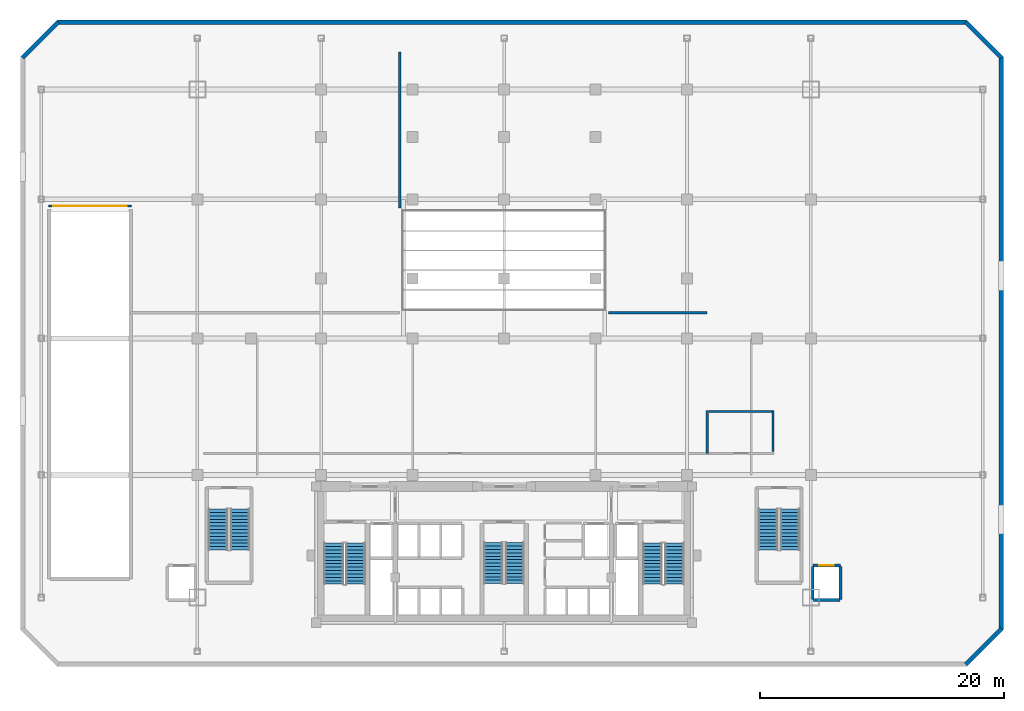
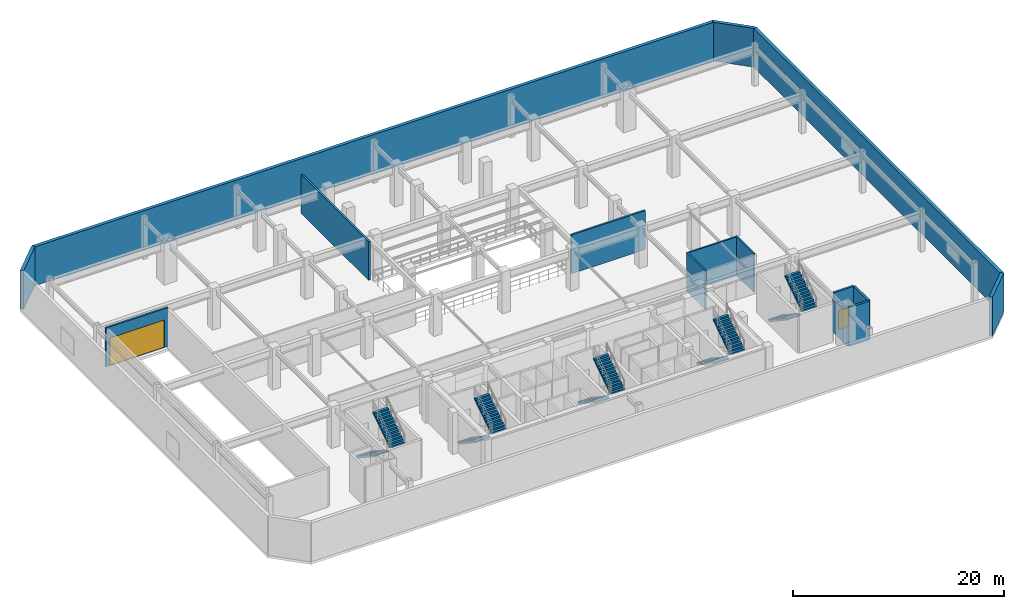
# One storey, part 7 of 10: 15 walls, 10 stair flights, 2 doors, 2 openings, 5 elements without a shape of their own.
"""IFC4 building model written with IfcOpenShell, lengths in metres."""

from ifc_helpers import new_model, si_unit, direction, frame, frame_2d, origin, place, context, subcontext, project, spatial, polyline, rectangle, outline, extrude, material, layer, layer_set, type_object, element, fill, aggregate, save


model = new_model("IFC4")

# Units and contexts
model_context = context("Model", 3, precision=1e-05, world=origin(), true_north=direction((0.0, 1.0)))
body_context = subcontext(model_context, "Body", "Model", "MODEL_VIEW")
ifc_project = project(units=[si_unit("LENGTHUNIT", "METRE"), si_unit("AREAUNIT", "SQUARE_METRE"), si_unit("VOLUMEUNIT", "CUBIC_METRE"), si_unit("PLANEANGLEUNIT", "RADIAN"), si_unit("MASSUNIT", "GRAM", prefix="KILO")], contexts=[model_context])

# Site, building, storey
site_placement = place(None, origin())
site = spatial("IfcSite", under=ifc_project, at=site_placement, CompositionType="ELEMENT")
building_placement = place(site_placement, origin())
building = spatial("IfcBuilding", under=site, at=building_placement, Name="Ventersveld Concourse Tower", CompositionType="ELEMENT")
storey_placement = place(building_placement, frame((0.0, 0.0, 15.0)))
storey = spatial("IfcBuildingStorey", under=building, at=storey_placement, Name="L03", CompositionType="ELEMENT", Elevation=15.0)

# Wall, opening, door
ifc_material_1 = material(Name="Fire-rated autoclaved aerated masonry blockwork", Category="masonry")
ifc_layer_1 = layer(ifc_material_1, 0.199951171875)
ifc_layer_set_1 = layer_set([ifc_layer_1], Name="Fire-rated autoclaved aerated masonry blockwork")
wall_type_1 = type_object("IfcWallType", Name="WL-DEMISE-200", PredefinedType="PARTITIONING", material=ifc_layer_set_1)
wall_1_placement = place(storey_placement, frame((-8.60009765625, 34.449951171875, 0.0), z_axis=(0.0, 0.0, 1.0), x_axis=(1.0, 0.0, 0.0)))
wall_1 = element("IfcWall", 1, at=wall_1_placement, inside=storey, type_object=wall_type_1, Name="L03 Car Park Ramp Portal Wall", PredefinedType="PARTITIONING", context=body_context, shape_type="SweptSolid", body=[
    extrude(rectangle(XDim=6.800048828125, YDim=0.199951171875, at=frame_2d((3.39990234375, 0.0))), origin(), (0.0, 0.0, 1.0), 4.5),
])
opening_1_placement = place(wall_1_placement, frame((0.39990234375, 0.0, 0.0)))
opening_1 = element("IfcOpeningElement", 2, at=opening_1_placement, cuts=wall_1, Name="Opening VG2", PredefinedType="OPENING", context=body_context, shape_type="SweptSolid", body=[
    extrude(rectangle(XDim=6.0, YDim=3.199951171875, at=frame_2d((3.0, 1.60009765625))), frame((0.0, 0.10986328125, 0.0), z_axis=(0.0, -1.0, 0.0), x_axis=(1.0, 0.0, 0.0)), (0.0, 0.0, 1.0), 0.219970703125),
])
ifc_material_2 = material(Name="Galvanised painted steel", Category="steel")
door_type_1 = type_object("IfcDoorType", Name="DR-VGATE-320", OperationType="ROLLINGUP", PredefinedType="GATE", material=ifc_material_2)
door_1_placement = place(opening_1_placement, origin())
door_1 = element("IfcDoor", 3, at=door_1_placement, inside=storey, type_object=door_type_1, Name="L03 Car Park Deck Vehicle Entry Gate VG2", OperationType="ROLLINGUP", OverallHeight=3.199951171875, OverallWidth=6.0, PredefinedType="GATE", context=body_context, shape_type="SweptSolid", body=[
    extrude(rectangle(XDim=6.0, YDim=3.199951171875, at=frame_2d((3.0, 1.60009765625))), frame((0.0, 0.02490234375, 0.0), z_axis=(0.0, -1.0, 0.0), x_axis=(1.0, 0.0, 0.0)), (0.0, 0.0, 1.0), 0.050048828125),
])
fill(opening_1, door_1)

# Walls
wall_2_placement = place(storey_placement, frame((45.39990234375, 14.155029296875, 0.0), z_axis=(0.0, 0.0, 1.0), x_axis=(0.0, 1.0, 0.0)))
element("IfcWall", 4, at=wall_2_placement, inside=storey, type_object=wall_type_1, Name="L03 Interior Partition SP-L03-AWC-SP-L03-PARK-S", PredefinedType="PARTITIONING", context=body_context, shape_type="SweptSolid", body=[
    extrude(rectangle(XDim=3.5400390625, YDim=0.199951171875, at=frame_2d((1.77001953125, 0.0))), origin(), (0.0, 0.0, 1.0), 4.5),
])
wall_3_placement = place(storey_placement, frame((37.304931640625, 25.699951171875, 0.0), z_axis=(0.0, 0.0, 1.0), x_axis=(1.0, 0.0, 0.0)))
element("IfcWall", 5, at=wall_3_placement, inside=storey, type_object=wall_type_1, Name="L03 Interior Partition SP-L03-PARK-S-SP-L03-PARK-E", PredefinedType="PARTITIONING", context=body_context, shape_type="SweptSolid", body=[
    extrude(rectangle(XDim=8.090087890625, YDim=0.199951171875, at=frame_2d((4.044921875, 0.0))), origin(), (0.0, 0.0, 1.0), 4.5),
])
wall_4_placement = place(storey_placement, frame((20.199951171875, 34.304931640625, 0.0), z_axis=(0.0, 0.0, 1.0), x_axis=(0.0, 1.0, 0.0)))
element("IfcWall", 6, at=wall_4_placement, inside=storey, type_object=wall_type_1, Name="L03 Interior Partition SP-L03-PARK-W-SP-L03-PARK-N", PredefinedType="PARTITIONING", context=body_context, shape_type="SweptSolid", body=[
    extrude(rectangle(XDim=12.7900390625, YDim=0.199951171875, at=frame_2d((6.39501953125, 0.0))), origin(), (0.0, 0.0, 1.0), 4.5),
])
ifc_layer_2 = layer(ifc_material_1, 0.219970703125)
ifc_layer_set_2 = layer_set([ifc_layer_2], Name="Fire-rated autoclaved aerated masonry blockwork")
wall_type_2 = type_object("IfcWallType", Name="WL-HOIST-220", PredefinedType="SOLIDWALL", material=ifc_layer_set_2)
wall_5_placement = place(storey_placement, frame((54.10009765625, 2.139892578125, 0.0), z_axis=(0.0, 0.0, 1.0), x_axis=(1.0, 0.0, 0.0)))
element("IfcWall", 7, at=wall_5_placement, inside=storey, type_object=wall_type_2, Name="L03 Lift Hoistway Back Wall SL-02", PredefinedType="SOLIDWALL", context=body_context, shape_type="SweptSolid", body=[
    extrude(rectangle(XDim=2.199951171875, YDim=0.219970703125, at=frame_2d((1.10009765625, 0.0))), origin(), (0.0, 0.0, 1.0), 4.5),
])
wall_6_placement = place(storey_placement, frame((54.06005859375, 2.199951171875, 0.0), z_axis=(0.0, 0.0, 1.0), x_axis=(0.0, 1.0, 0.0)))
element("IfcWall", 8, at=wall_6_placement, inside=storey, type_object=wall_type_2, Name="L03 Lift Hoistway Side Wall SL-02W", PredefinedType="SOLIDWALL", context=body_context, shape_type="SweptSolid", body=[
    extrude(rectangle(XDim=2.699951171875, YDim=0.219970703125, at=frame_2d((1.35009765625, 0.0))), origin(), (0.0, 0.0, 1.0), 3.966796875),
])
wall_7_placement = place(storey_placement, frame((56.340087890625, 2.199951171875, 0.0), z_axis=(0.0, 0.0, 1.0), x_axis=(0.0, 1.0, 0.0)))
element("IfcWall", 9, at=wall_7_placement, inside=storey, type_object=wall_type_2, Name="L03 Lift Hoistway Side Wall SL-02E", PredefinedType="SOLIDWALL", context=body_context, shape_type="SweptSolid", body=[
    extrude(rectangle(XDim=2.699951171875, YDim=0.219970703125, at=frame_2d((1.35009765625, 0.0))), origin(), (0.0, 0.0, 1.0), 4.5),
])

# Wall, opening, door
wall_8_placement = place(storey_placement, frame((54.080078125, 4.97998046875, 0.0), z_axis=(0.0, 0.0, 1.0), x_axis=(1.0, 0.0, 0.0)))
wall_8 = element("IfcWall", 10, at=wall_8_placement, inside=storey, type_object=wall_type_2, Name="L03 Lift Hoistway Front Wall SL-02", PredefinedType="SOLIDWALL", context=body_context, shape_type="SweptSolid", body=[
    extrude(rectangle(XDim=2.239990234375, YDim=0.219970703125, at=frame_2d((1.1201171875, 0.0))), origin(), (0.0, 0.0, 1.0), 4.5),
])
opening_2_placement = place(wall_8_placement, frame((0.530029296875, 0.0, 0.0)))
opening_2 = element("IfcOpeningElement", 11, at=opening_2_placement, cuts=wall_8, Name="Opening LD2", PredefinedType="OPENING", context=body_context, shape_type="SweptSolid", body=[
    extrude(rectangle(XDim=1.179931640625, YDim=2.199951171875, at=frame_2d((0.58984375, 1.10009765625))), frame((0.0, 0.1201171875, 0.0), z_axis=(0.0, -1.0, 0.0), x_axis=(1.0, 0.0, 0.0)), (0.0, 0.0, 1.0), 0.239990234375),
])
ifc_material_3 = material(Name="Brushed stainless steel 316", Category="steel")
door_type_2 = type_object("IfcDoorType", Name="LD-PAX-118", OperationType="SLIDING_TO_LEFT", PredefinedType="DOOR", material=ifc_material_3)
door_2_placement = place(opening_2_placement, origin())
door_2 = element("IfcDoor", 12, at=door_2_placement, inside=storey, type_object=door_type_2, Name="L03 Lift landing door SL-02 (LD-L03-SL-02)", OperationType="SLIDING_TO_LEFT", OverallHeight=2.199951171875, OverallWidth=1.179931640625, PredefinedType="DOOR", context=body_context, shape_type="SweptSolid", body=[
    extrude(rectangle(XDim=1.179931640625, YDim=2.199951171875, at=frame_2d((0.58984375, 1.10009765625))), frame((0.0, 0.02490234375, 0.0), z_axis=(0.0, -1.0, 0.0), x_axis=(1.0, 0.0, 0.0)), (0.0, 0.0, 1.0), 0.050048828125),
])
fill(opening_2, door_2)

# Walls
ifc_material_4 = material(Name="Precast concrete C45/55", Category="concrete")
ifc_layer_3 = layer(ifc_material_4, 0.35009765625)
ifc_layer_set_3 = layer_set([ifc_layer_3], Name="Precast concrete C45/55")
wall_type_3 = type_object("IfcWallType", Name="WL-PREC-350", PredefinedType="SOLIDWALL", material=ifc_layer_set_3)
wall_9_placement = place(storey_placement, frame((66.60107421875, -3.144287109375, 0.0), z_axis=(0.0, 0.0, 1.0), x_axis=(0.707106781187, 0.707106781187, 0.0)))
element("IfcWall", 13, at=wall_9_placement, inside=storey, type_object=wall_type_3, Name="L03 Podium Precast Perimeter Wall 02", PredefinedType="SOLIDWALL", context=body_context, shape_type="SweptSolid", body=[
    extrude(rectangle(XDim=4.16259765625, YDim=0.35009765625, at=frame_2d((2.081298828125, 0.0))), origin(), (0.0, 0.0, 1.0), 4.5),
])
wall_10_placement = place(storey_placement, frame((69.52001953125, -0.260009765625, 0.0), z_axis=(0.0, 0.0, 1.0), x_axis=(0.0, 1.0, 0.0)))
element("IfcWall", 14, at=wall_10_placement, inside=storey, type_object=wall_type_3, Name="L03 Podium Precast Perimeter Wall 03", PredefinedType="SOLIDWALL", context=body_context, shape_type="SweptSolid", body=[
    extrude(rectangle(XDim=46.919921875, YDim=0.35009765625, at=frame_2d((23.4599609375, 0.0))), origin(), (0.0, 0.0, 1.0), 4.5),
])
wall_11_placement = place(storey_placement, frame((69.54443359375, 46.60107421875, 0.0), z_axis=(0.0, 0.0, 1.0), x_axis=(-0.707106781187, 0.707106781187, 0.0)))
element("IfcWall", 15, at=wall_11_placement, inside=storey, type_object=wall_type_3, Name="L03 Podium Precast Perimeter Wall 04", PredefinedType="SOLIDWALL", context=body_context, shape_type="SweptSolid", body=[
    extrude(rectangle(XDim=4.16259765625, YDim=0.35009765625, at=frame_2d((2.081298828125, 0.0))), origin(), (0.0, 0.0, 1.0), 4.5),
])
wall_12_placement = place(storey_placement, frame((66.659912109375, 49.52001953125, 0.0), z_axis=(0.0, 0.0, 1.0), x_axis=(-1.0, 0.0, 0.0)))
element("IfcWall", 16, at=wall_12_placement, inside=storey, type_object=wall_type_3, Name="L03 Podium Precast Perimeter Wall 05", PredefinedType="SOLIDWALL", context=body_context, shape_type="SweptSolid", body=[
    extrude(rectangle(XDim=74.52001953125, YDim=0.35009765625, at=frame_2d((37.260009765625, 0.0))), origin(), (0.0, 0.0, 1.0), 4.5),
])
wall_13_placement = place(storey_placement, frame((-7.801025390625, 49.54443359375, 0.0), z_axis=(0.0, 0.0, 1.0), x_axis=(-0.707106781187, -0.707106781187, 0.0)))
element("IfcWall", 17, at=wall_13_placement, inside=storey, type_object=wall_type_3, Name="L03 Podium Precast Perimeter Wall 06", PredefinedType="SOLIDWALL", context=body_context, shape_type="SweptSolid", body=[
    extrude(rectangle(XDim=4.16259765625, YDim=0.35009765625, at=frame_2d((2.081298828125, 0.0))), origin(), (0.0, 0.0, 1.0), 4.5),
])
ifc_material_5 = material(Name="Autoclaved aerated masonry blockwork", Category="masonry")
ifc_layer_4 = layer(ifc_material_5, 0.1650390625)
ifc_layer_set_4 = layer_set([ifc_layer_4], Name="Autoclaved aerated masonry blockwork")
wall_type_4 = type_object("IfcWallType", Name="WL-WET-165", PredefinedType="PLUMBINGWALL", material=ifc_layer_set_4)
wall_14_placement = place(storey_placement, frame((50.800048828125, 14.31494140625, 0.0), z_axis=(0.0, 0.0, 1.0), x_axis=(0.0, 1.0, 0.0)))
element("IfcWall", 18, at=wall_14_placement, inside=storey, type_object=wall_type_4, Name="L03 Room Enclosure Wall SP-L03-AWC", PredefinedType="PLUMBINGWALL", context=body_context, shape_type="SweptSolid", body=[
    extrude(rectangle(XDim=3.380126953125, YDim=0.1650390625, at=frame_2d((1.68994140625, 0.0))), origin(), (0.0, 0.0, 1.0), 4.5),
])
wall_15_placement = place(storey_placement, frame((50.89501953125, 17.60009765625, 0.0), z_axis=(0.0, 0.0, 1.0), x_axis=(-1.0, 0.0, 0.0)))
element("IfcWall", 19, at=wall_15_placement, inside=storey, type_object=wall_type_4, Name="L03 Room Enclosure Wall SP-L03-AWC", PredefinedType="PLUMBINGWALL", context=body_context, shape_type="SweptSolid", body=[
    extrude(rectangle(XDim=5.330078125, YDim=0.1650390625, at=frame_2d((2.6650390625, 0.0))), origin(), (0.0, 0.0, 1.0), 4.5),
])

# Stair, stair flights
ifc_material_6 = material(Name="Concrete C50/60", Category="concrete")
stair_type_1 = type_object("IfcStairType", Name="ST-DOG-155", PredefinedType="HALF_TURN_STAIR", material=ifc_material_6)
stair_1_placement = place(storey_placement, origin())
stair_1 = element("IfcStair", 20, at=stair_1_placement, inside=storey, type_object=stair_type_1, Name="L03 Protected Central Core Escape Stair ST-03", PredefinedType="HALF_TURN_STAIR")
stair_flight_type_1 = type_object("IfcStairFlightType", Name="STF-RC-155", PredefinedType="STRAIGHT", material=ifc_material_6)
stair_flight_1_placement = place(storey_placement, frame((27.875, 6.85009765625, 0.0), z_axis=(0.0, 0.0, 1.0), x_axis=(0.0, -1.0, 0.0)))
stair_flight_1 = element("IfcStairFlight", 21, at=stair_flight_1_placement, type_object=stair_flight_type_1, Name="ST-03 flight 1", NumberOfRisers=13, NumberOfTreads=12, PredefinedType="STRAIGHT", RiserHeight=0.184615385, TreadLength=0.28, context=body_context, shape_type="SweptSolid", body=[
    extrude(outline(polyline([(0.0, 0.0), (0.0, 0.1845703125), (0.280029296875, 0.1845703125), (0.280029296875, 0.369140625), (0.56005859375, 0.369140625), (0.56005859375, 0.553955078125), (0.840087890625, 0.553955078125), (0.840087890625, 0.738525390625), (1.1201171875, 0.738525390625), (1.1201171875, 0.923095703125), (1.39990234375, 0.923095703125), (1.39990234375, 1.107666015625), (1.679931640625, 1.107666015625), (1.679931640625, 1.292236328125), (1.9599609375, 1.292236328125), (1.9599609375, 1.476806640625), (2.239990234375, 1.476806640625), (2.239990234375, 1.66162109375), (2.52001953125, 1.66162109375), (2.52001953125, 1.84619140625), (2.800048828125, 1.84619140625), (2.800048828125, 2.03076171875), (3.080078125, 2.03076171875), (3.080078125, 2.21533203125), (3.360107421875, 2.21533203125), (3.360107421875, 2.39990234375), (3.360107421875, 2.035888671875), (0.272216796875, 0.0), (0.0, 0.0)])), frame((0.0, 0.77490234375, 0.0), z_axis=(0.0, -1.0, 0.0), x_axis=(1.0, 0.0, 0.0)), (0.0, 0.0, 1.0), 1.550048828125),
])
stair_flight_2_placement = place(storey_placement, frame((29.625, 3.489990234375, 2.39990234375), z_axis=(0.0, 0.0, 1.0), x_axis=(0.0, 1.0, 0.0)))
stair_flight_2 = element("IfcStairFlight", 22, at=stair_flight_2_placement, type_object=stair_flight_type_1, Name="ST-03 flight 2", NumberOfRisers=13, NumberOfTreads=12, PredefinedType="STRAIGHT", RiserHeight=0.184615385, TreadLength=0.28, context=body_context, shape_type="SweptSolid", body=[
    extrude(outline(polyline([(0.0, 0.0), (0.0, 0.1845703125), (0.280029296875, 0.1845703125), (0.280029296875, 0.369140625), (0.56005859375, 0.369140625), (0.56005859375, 0.553955078125), (0.840087890625, 0.553955078125), (0.840087890625, 0.738525390625), (1.1201171875, 0.738525390625), (1.1201171875, 0.923095703125), (1.39990234375, 0.923095703125), (1.39990234375, 1.107666015625), (1.679931640625, 1.107666015625), (1.679931640625, 1.292236328125), (1.9599609375, 1.292236328125), (1.9599609375, 1.476806640625), (2.239990234375, 1.476806640625), (2.239990234375, 1.66162109375), (2.52001953125, 1.66162109375), (2.52001953125, 1.84619140625), (2.800048828125, 1.84619140625), (2.800048828125, 2.03076171875), (3.080078125, 2.03076171875), (3.080078125, 2.21533203125), (3.360107421875, 2.21533203125), (3.360107421875, 2.39990234375), (3.360107421875, 2.035888671875), (0.272216796875, 0.0), (0.0, 0.0)])), frame((0.0, 0.77490234375, 0.0), z_axis=(0.0, -1.0, 0.0), x_axis=(1.0, 0.0, 0.0)), (0.0, 0.0, 1.0), 1.550048828125),
])
aggregate(stair_1, [stair_flight_1, stair_flight_2])

stair_type_2 = type_object("IfcStairType", Name="ST-DOG-160", PredefinedType="HALF_TURN_STAIR", material=ifc_material_6)
stair_2_placement = place(storey_placement, origin())
stair_2 = element("IfcStair", 23, at=stair_2_placement, inside=storey, type_object=stair_type_2, Name="L03 Protected Tower Escape Stair ST-01", PredefinedType="HALF_TURN_STAIR")
stair_flight_type_2 = type_object("IfcStairFlightType", Name="STF-RC-160", PredefinedType="STRAIGHT", material=ifc_material_6)
stair_flight_3_placement = place(storey_placement, frame((14.780029296875, 6.800048828125, 0.0), z_axis=(0.0, 0.0, 1.0), x_axis=(0.0, -1.0, 0.0)))
stair_flight_3 = element("IfcStairFlight", 24, at=stair_flight_3_placement, type_object=stair_flight_type_2, Name="ST-01 flight 1", NumberOfRisers=13, NumberOfTreads=12, PredefinedType="STRAIGHT", RiserHeight=0.184615385, TreadLength=0.28, context=body_context, shape_type="SweptSolid", body=[
    extrude(outline(polyline([(0.0, 0.0), (0.0, 0.1845703125), (0.280029296875, 0.1845703125), (0.280029296875, 0.369140625), (0.56005859375, 0.369140625), (0.56005859375, 0.553955078125), (0.840087890625, 0.553955078125), (0.840087890625, 0.738525390625), (1.1201171875, 0.738525390625), (1.1201171875, 0.923095703125), (1.39990234375, 0.923095703125), (1.39990234375, 1.107666015625), (1.679931640625, 1.107666015625), (1.679931640625, 1.292236328125), (1.9599609375, 1.292236328125), (1.9599609375, 1.476806640625), (2.239990234375, 1.476806640625), (2.239990234375, 1.66162109375), (2.52001953125, 1.66162109375), (2.52001953125, 1.84619140625), (2.800048828125, 1.84619140625), (2.800048828125, 2.03076171875), (3.080078125, 2.03076171875), (3.080078125, 2.21533203125), (3.360107421875, 2.21533203125), (3.360107421875, 2.39990234375), (3.360107421875, 2.035888671875), (0.272216796875, 0.0), (0.0, 0.0)])), frame((0.0, 0.800048828125, 0.0), z_axis=(0.0, -1.0, 0.0), x_axis=(1.0, 0.0, 0.0)), (0.0, 0.0, 1.0), 1.60009765625),
])
stair_flight_4_placement = place(storey_placement, frame((16.580078125, 3.43994140625, 2.39990234375), z_axis=(0.0, 0.0, 1.0), x_axis=(0.0, 1.0, 0.0)))
stair_flight_4 = element("IfcStairFlight", 25, at=stair_flight_4_placement, type_object=stair_flight_type_2, Name="ST-01 flight 2", NumberOfRisers=13, NumberOfTreads=12, PredefinedType="STRAIGHT", RiserHeight=0.184615385, TreadLength=0.28, context=body_context, shape_type="SweptSolid", body=[
    extrude(outline(polyline([(0.0, 0.0), (0.0, 0.1845703125), (0.280029296875, 0.1845703125), (0.280029296875, 0.369140625), (0.56005859375, 0.369140625), (0.56005859375, 0.553955078125), (0.840087890625, 0.553955078125), (0.840087890625, 0.738525390625), (1.1201171875, 0.738525390625), (1.1201171875, 0.923095703125), (1.39990234375, 0.923095703125), (1.39990234375, 1.107666015625), (1.679931640625, 1.107666015625), (1.679931640625, 1.292236328125), (1.9599609375, 1.292236328125), (1.9599609375, 1.476806640625), (2.239990234375, 1.476806640625), (2.239990234375, 1.66162109375), (2.52001953125, 1.66162109375), (2.52001953125, 1.84619140625), (2.800048828125, 1.84619140625), (2.800048828125, 2.03076171875), (3.080078125, 2.03076171875), (3.080078125, 2.21533203125), (3.360107421875, 2.21533203125), (3.360107421875, 2.39990234375), (3.360107421875, 2.035888671875), (0.272216796875, 0.0), (0.0, 0.0)])), frame((0.0, 0.800048828125, 0.0), z_axis=(0.0, -1.0, 0.0), x_axis=(1.0, 0.0, 0.0)), (0.0, 0.0, 1.0), 1.60009765625),
])
aggregate(stair_2, [stair_flight_3, stair_flight_4])

stair_3_placement = place(storey_placement, origin())
stair_3 = element("IfcStair", 26, at=stair_3_placement, inside=storey, type_object=stair_type_2, Name="L03 Protected Tower Escape Stair ST-02", PredefinedType="HALF_TURN_STAIR")
stair_flight_5_placement = place(storey_placement, frame((40.919921875, 6.800048828125, 0.0), z_axis=(0.0, 0.0, 1.0), x_axis=(0.0, -1.0, 0.0)))
stair_flight_5 = element("IfcStairFlight", 27, at=stair_flight_5_placement, type_object=stair_flight_type_2, Name="ST-02 flight 1", NumberOfRisers=13, NumberOfTreads=12, PredefinedType="STRAIGHT", RiserHeight=0.184615385, TreadLength=0.28, context=body_context, shape_type="SweptSolid", body=[
    extrude(outline(polyline([(0.0, 0.0), (0.0, 0.1845703125), (0.280029296875, 0.1845703125), (0.280029296875, 0.369140625), (0.56005859375, 0.369140625), (0.56005859375, 0.553955078125), (0.840087890625, 0.553955078125), (0.840087890625, 0.738525390625), (1.1201171875, 0.738525390625), (1.1201171875, 0.923095703125), (1.39990234375, 0.923095703125), (1.39990234375, 1.107666015625), (1.679931640625, 1.107666015625), (1.679931640625, 1.292236328125), (1.9599609375, 1.292236328125), (1.9599609375, 1.476806640625), (2.239990234375, 1.476806640625), (2.239990234375, 1.66162109375), (2.52001953125, 1.66162109375), (2.52001953125, 1.84619140625), (2.800048828125, 1.84619140625), (2.800048828125, 2.03076171875), (3.080078125, 2.03076171875), (3.080078125, 2.21533203125), (3.360107421875, 2.21533203125), (3.360107421875, 2.39990234375), (3.360107421875, 2.035888671875), (0.272216796875, 0.0), (0.0, 0.0)])), frame((0.0, 0.800048828125, 0.0), z_axis=(0.0, -1.0, 0.0), x_axis=(1.0, 0.0, 0.0)), (0.0, 0.0, 1.0), 1.60009765625),
])
stair_flight_6_placement = place(storey_placement, frame((42.719970703125, 3.43994140625, 2.39990234375), z_axis=(0.0, 0.0, 1.0), x_axis=(0.0, 1.0, 0.0)))
stair_flight_6 = element("IfcStairFlight", 28, at=stair_flight_6_placement, type_object=stair_flight_type_2, Name="ST-02 flight 2", NumberOfRisers=13, NumberOfTreads=12, PredefinedType="STRAIGHT", RiserHeight=0.184615385, TreadLength=0.28, context=body_context, shape_type="SweptSolid", body=[
    extrude(outline(polyline([(0.0, 0.0), (0.0, 0.1845703125), (0.280029296875, 0.1845703125), (0.280029296875, 0.369140625), (0.56005859375, 0.369140625), (0.56005859375, 0.553955078125), (0.840087890625, 0.553955078125), (0.840087890625, 0.738525390625), (1.1201171875, 0.738525390625), (1.1201171875, 0.923095703125), (1.39990234375, 0.923095703125), (1.39990234375, 1.107666015625), (1.679931640625, 1.107666015625), (1.679931640625, 1.292236328125), (1.9599609375, 1.292236328125), (1.9599609375, 1.476806640625), (2.239990234375, 1.476806640625), (2.239990234375, 1.66162109375), (2.52001953125, 1.66162109375), (2.52001953125, 1.84619140625), (2.800048828125, 1.84619140625), (2.800048828125, 2.03076171875), (3.080078125, 2.03076171875), (3.080078125, 2.21533203125), (3.360107421875, 2.21533203125), (3.360107421875, 2.39990234375), (3.360107421875, 2.035888671875), (0.272216796875, 0.0), (0.0, 0.0)])), frame((0.0, 0.800048828125, 0.0), z_axis=(0.0, -1.0, 0.0), x_axis=(1.0, 0.0, 0.0)), (0.0, 0.0, 1.0), 1.60009765625),
])
aggregate(stair_3, [stair_flight_5, stair_flight_6])

stair_4_placement = place(storey_placement, origin())
stair_4 = element("IfcStair", 29, at=stair_4_placement, inside=storey, type_object=stair_type_2, Name="L03 Station Concourse West Escape Stair ST-04", PredefinedType="HALF_TURN_STAIR")
stair_flight_7_placement = place(storey_placement, frame((5.300048828125, 9.60009765625, 0.0), z_axis=(0.0, 0.0, 1.0), x_axis=(0.0, -1.0, 0.0)))
stair_flight_7 = element("IfcStairFlight", 30, at=stair_flight_7_placement, type_object=stair_flight_type_2, Name="ST-04 flight 1", NumberOfRisers=13, NumberOfTreads=12, PredefinedType="STRAIGHT", RiserHeight=0.184615385, TreadLength=0.28, context=body_context, shape_type="SweptSolid", body=[
    extrude(outline(polyline([(0.0, 0.0), (0.0, 0.1845703125), (0.280029296875, 0.1845703125), (0.280029296875, 0.369140625), (0.56005859375, 0.369140625), (0.56005859375, 0.553955078125), (0.840087890625, 0.553955078125), (0.840087890625, 0.738525390625), (1.1201171875, 0.738525390625), (1.1201171875, 0.923095703125), (1.39990234375, 0.923095703125), (1.39990234375, 1.107666015625), (1.679931640625, 1.107666015625), (1.679931640625, 1.292236328125), (1.9599609375, 1.292236328125), (1.9599609375, 1.476806640625), (2.239990234375, 1.476806640625), (2.239990234375, 1.66162109375), (2.52001953125, 1.66162109375), (2.52001953125, 1.84619140625), (2.800048828125, 1.84619140625), (2.800048828125, 2.03076171875), (3.080078125, 2.03076171875), (3.080078125, 2.21533203125), (3.360107421875, 2.21533203125), (3.360107421875, 2.39990234375), (3.360107421875, 2.035888671875), (0.272216796875, 0.0), (0.0, 0.0)])), frame((0.0, 0.800048828125, 0.0), z_axis=(0.0, -1.0, 0.0), x_axis=(1.0, 0.0, 0.0)), (0.0, 0.0, 1.0), 1.60009765625),
])
stair_flight_8_placement = place(storey_placement, frame((7.10009765625, 6.239990234375, 2.39990234375), z_axis=(0.0, 0.0, 1.0), x_axis=(0.0, 1.0, 0.0)))
stair_flight_8 = element("IfcStairFlight", 31, at=stair_flight_8_placement, type_object=stair_flight_type_2, Name="ST-04 flight 2", NumberOfRisers=13, NumberOfTreads=12, PredefinedType="STRAIGHT", RiserHeight=0.184615385, TreadLength=0.28, context=body_context, shape_type="SweptSolid", body=[
    extrude(outline(polyline([(0.0, 0.0), (0.0, 0.1845703125), (0.280029296875, 0.1845703125), (0.280029296875, 0.369140625), (0.56005859375, 0.369140625), (0.56005859375, 0.553955078125), (0.840087890625, 0.553955078125), (0.840087890625, 0.738525390625), (1.1201171875, 0.738525390625), (1.1201171875, 0.923095703125), (1.39990234375, 0.923095703125), (1.39990234375, 1.107666015625), (1.679931640625, 1.107666015625), (1.679931640625, 1.292236328125), (1.9599609375, 1.292236328125), (1.9599609375, 1.476806640625), (2.239990234375, 1.476806640625), (2.239990234375, 1.66162109375), (2.52001953125, 1.66162109375), (2.52001953125, 1.84619140625), (2.800048828125, 1.84619140625), (2.800048828125, 2.03076171875), (3.080078125, 2.03076171875), (3.080078125, 2.21533203125), (3.360107421875, 2.21533203125), (3.360107421875, 2.39990234375), (3.360107421875, 2.035888671875), (0.272216796875, 0.0), (0.0, 0.0)])), frame((0.0, 0.800048828125, 0.0), z_axis=(0.0, -1.0, 0.0), x_axis=(1.0, 0.0, 0.0)), (0.0, 0.0, 1.0), 1.60009765625),
])
aggregate(stair_4, [stair_flight_7, stair_flight_8])

stair_5_placement = place(storey_placement, origin())
stair_5 = element("IfcStair", 32, at=stair_5_placement, inside=storey, type_object=stair_type_2, Name="L03 Station Concourse East Escape Stair ST-05", PredefinedType="HALF_TURN_STAIR")
stair_flight_9_placement = place(storey_placement, frame((50.39990234375, 9.60009765625, 0.0), z_axis=(0.0, 0.0, 1.0), x_axis=(0.0, -1.0, 0.0)))
stair_flight_9 = element("IfcStairFlight", 33, at=stair_flight_9_placement, type_object=stair_flight_type_2, Name="ST-05 flight 1", NumberOfRisers=13, NumberOfTreads=12, PredefinedType="STRAIGHT", RiserHeight=0.184615385, TreadLength=0.28, context=body_context, shape_type="SweptSolid", body=[
    extrude(outline(polyline([(0.0, 0.0), (0.0, 0.1845703125), (0.280029296875, 0.1845703125), (0.280029296875, 0.369140625), (0.56005859375, 0.369140625), (0.56005859375, 0.553955078125), (0.840087890625, 0.553955078125), (0.840087890625, 0.738525390625), (1.1201171875, 0.738525390625), (1.1201171875, 0.923095703125), (1.39990234375, 0.923095703125), (1.39990234375, 1.107666015625), (1.679931640625, 1.107666015625), (1.679931640625, 1.292236328125), (1.9599609375, 1.292236328125), (1.9599609375, 1.476806640625), (2.239990234375, 1.476806640625), (2.239990234375, 1.66162109375), (2.52001953125, 1.66162109375), (2.52001953125, 1.84619140625), (2.800048828125, 1.84619140625), (2.800048828125, 2.03076171875), (3.080078125, 2.03076171875), (3.080078125, 2.21533203125), (3.360107421875, 2.21533203125), (3.360107421875, 2.39990234375), (3.360107421875, 2.035888671875), (0.272216796875, 0.0), (0.0, 0.0)])), frame((0.0, 0.800048828125, 0.0), z_axis=(0.0, -1.0, 0.0), x_axis=(1.0, 0.0, 0.0)), (0.0, 0.0, 1.0), 1.60009765625),
])
stair_flight_10_placement = place(storey_placement, frame((52.199951171875, 6.239990234375, 2.39990234375), z_axis=(0.0, 0.0, 1.0), x_axis=(0.0, 1.0, 0.0)))
stair_flight_10 = element("IfcStairFlight", 34, at=stair_flight_10_placement, type_object=stair_flight_type_2, Name="ST-05 flight 2", NumberOfRisers=13, NumberOfTreads=12, PredefinedType="STRAIGHT", RiserHeight=0.184615385, TreadLength=0.28, context=body_context, shape_type="SweptSolid", body=[
    extrude(outline(polyline([(0.0, 0.0), (0.0, 0.1845703125), (0.280029296875, 0.1845703125), (0.280029296875, 0.369140625), (0.56005859375, 0.369140625), (0.56005859375, 0.553955078125), (0.840087890625, 0.553955078125), (0.840087890625, 0.738525390625), (1.1201171875, 0.738525390625), (1.1201171875, 0.923095703125), (1.39990234375, 0.923095703125), (1.39990234375, 1.107666015625), (1.679931640625, 1.107666015625), (1.679931640625, 1.292236328125), (1.9599609375, 1.292236328125), (1.9599609375, 1.476806640625), (2.239990234375, 1.476806640625), (2.239990234375, 1.66162109375), (2.52001953125, 1.66162109375), (2.52001953125, 1.84619140625), (2.800048828125, 1.84619140625), (2.800048828125, 2.03076171875), (3.080078125, 2.03076171875), (3.080078125, 2.21533203125), (3.360107421875, 2.21533203125), (3.360107421875, 2.39990234375), (3.360107421875, 2.035888671875), (0.272216796875, 0.0), (0.0, 0.0)])), frame((0.0, 0.800048828125, 0.0), z_axis=(0.0, -1.0, 0.0), x_axis=(1.0, 0.0, 0.0)), (0.0, 0.0, 1.0), 1.60009765625),
])
aggregate(stair_5, [stair_flight_9, stair_flight_10])

save(model, "model.ifc")
